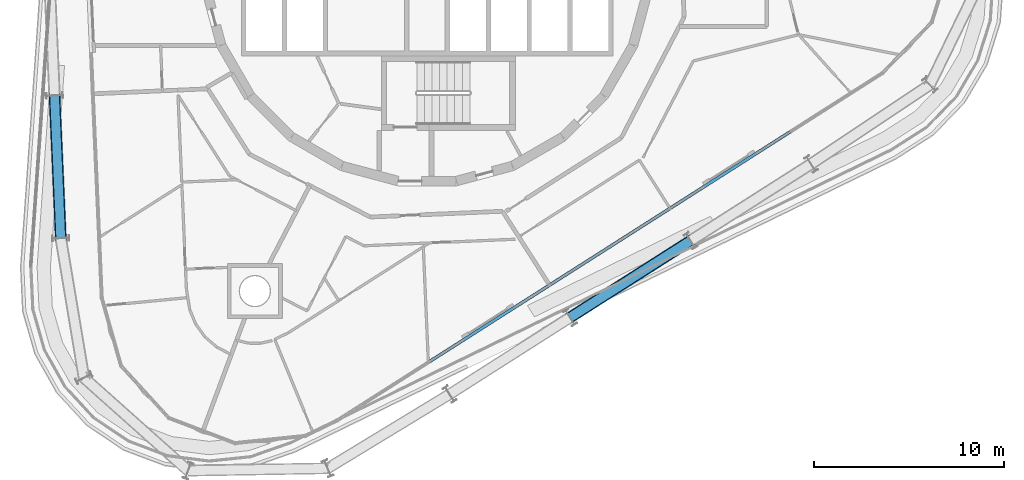
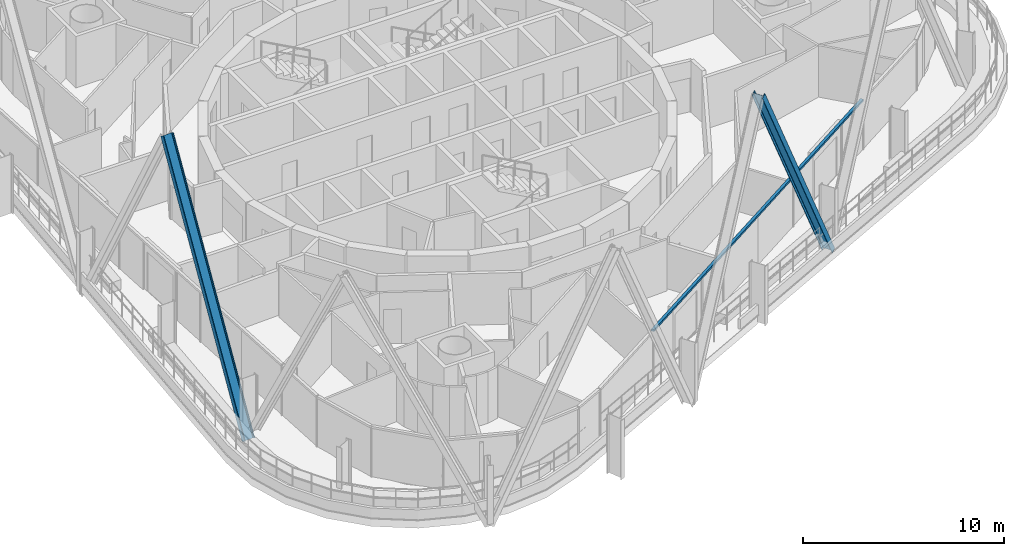
# One storey, part 3 of 20: 3 members, 1 element without a shape of its own.
"""IFC4 building model written with IfcOpenShell, lengths in metres."""

from ifc_helpers import new_model, si_unit, direction, frame, origin, origin_2d, place, context, subcontext, project, spatial, rectangle, i_section, extrude, material, layer, layer_set, material_profile, profile_set, type_object, element, aggregate, save


model = new_model("IFC4")

# Units and contexts
model_context = context("Model", 3, precision=1e-05, world=origin(), true_north=direction((0.0, 1.0)))
body_context = subcontext(model_context, "Body", "Model", "MODEL_VIEW")
ifc_project = project(units=[si_unit("LENGTHUNIT", "METRE"), si_unit("AREAUNIT", "SQUARE_METRE"), si_unit("VOLUMEUNIT", "CUBIC_METRE"), si_unit("PLANEANGLEUNIT", "RADIAN"), si_unit("MASSUNIT", "GRAM", prefix="KILO")], contexts=[model_context])

# Site, building, storey
site_placement = place(None, origin())
site = spatial("IfcSite", under=ifc_project, at=site_placement, CompositionType="ELEMENT")
building_placement = place(site_placement, origin())
building = spatial("IfcBuilding", under=site, at=building_placement, Name="Spindle Arch Residences", CompositionType="ELEMENT")
storey_placement = place(building_placement, frame((0.0, 0.0, 226.699951171875)))
storey = spatial("IfcBuildingStorey", under=building, at=storey_placement, Name="L57", CompositionType="ELEMENT", Elevation=226.699951171875)

# Curtain wall, member
ifc_material_1 = material(Name="Aluminium bronze unitised frame with tinted glass", Category="aluminium")
ifc_layer = layer(ifc_material_1, 0.159912109375)
ifc_layer_set = layer_set([ifc_layer], Name="CW-C typical residential unitised wall")
curtain_wall_type = type_object("IfcCurtainWallType", Name="CW-C typical residential unitised wall", PredefinedType="NOTDEFINED", material=ifc_layer_set)
curtain_wall_placement = place(storey_placement, origin())
curtain_wall = element("IfcCurtainWall", 1, at=curtain_wall_placement, inside=storey, type_object=curtain_wall_type, Name="CW-C L57 run 6", PredefinedType="NOTDEFINED")
ifc_material_2 = material(Name="Aluminium bronze anodised transom", Category="aluminium")
ifc_material_profile_1 = material_profile(ifc_material_2, rectangle(XDim=0.159912109375, YDim=0.1201171875, at=origin_2d()), Name="TR 120x160")
ifc_profile_set_1 = profile_set([ifc_material_profile_1], Name="Aluminium bronze anodised transom")
member_type_1 = type_object("IfcMemberType", Name="Bronze transom 120x160", PredefinedType="USERDEFINED", material=ifc_profile_set_1)
member_placement = place(storey_placement, frame((0.12451171875, -21.16162109375, 3.06005859375), z_axis=(0.84339053968, 0.537301030688, 0.0), x_axis=(-0.537301030688, 0.84339053968, 0.0)))
member = element("IfcMember", 2, at=member_placement, type_object=member_type_1, Name="CW-C transom 00", ObjectType="TRANSOM", PredefinedType="USERDEFINED", context=body_context, shape_type="SweptSolid", body=[
    extrude(rectangle(XDim=0.159912109375, YDim=0.1201171875, at=origin_2d()), origin(), (0.0, 0.0, 1.0), 22.530029296875),
])
aggregate(curtain_wall, [member])

# Members
ifc_material_3 = material(Name="Steel S460ML, intumescent coating R 240", Category="steel")
ifc_material_profile_2 = material_profile(ifc_material_3, i_section(OverallWidth=0.300048828125, OverallDepth=0.60009765625, WebThickness=0.015380859375, FlangeThickness=0.030029296875, FilletRadius=0.027099609375, at=origin_2d()), Name="HEB 600")
ifc_profile_set_2 = profile_set([ifc_material_profile_2], Name="Steel S460ML, intumescent coating R 240")
member_type_2 = type_object("IfcMemberType", Name="Diagrid diagonal HEB 600", PredefinedType="BRACE", material=ifc_profile_set_2)
for number, where, z_axis, x_axis, name in (
    (3, (-19.313232421875, -14.66162109375, -0.699951171875), (-0.020576615444, 0.471411024751, 0.881673549926), (0.038447552227, -0.880834850791, 0.471859885305), "Diagrid diagonal 6.1.16"),
    (4, (13.885986328125, -14.78955078125, -0.699951171875), (-0.397949774652, -0.25353005019, 0.881679358103), (0.743593983853, 0.473736717685, 0.471849032525), "Diagrid diagonal 6.1.22"),
):
    element("IfcMember", number, at=place(storey_placement, frame(where, z_axis=z_axis, x_axis=x_axis)), inside=storey, type_object=member_type_2, Name=name, PredefinedType="BRACE", context=body_context, shape_type="SweptSolid", body=[
        extrude(i_section(OverallWidth=0.300048828125, OverallDepth=0.60009765625, WebThickness=0.015380859375, FlangeThickness=0.030029296875, FilletRadius=0.027099609375, at=origin_2d()), origin(), (0.0, 0.0, 1.0), 15.958251953125),
    ])

save(model, "model.ifc")
